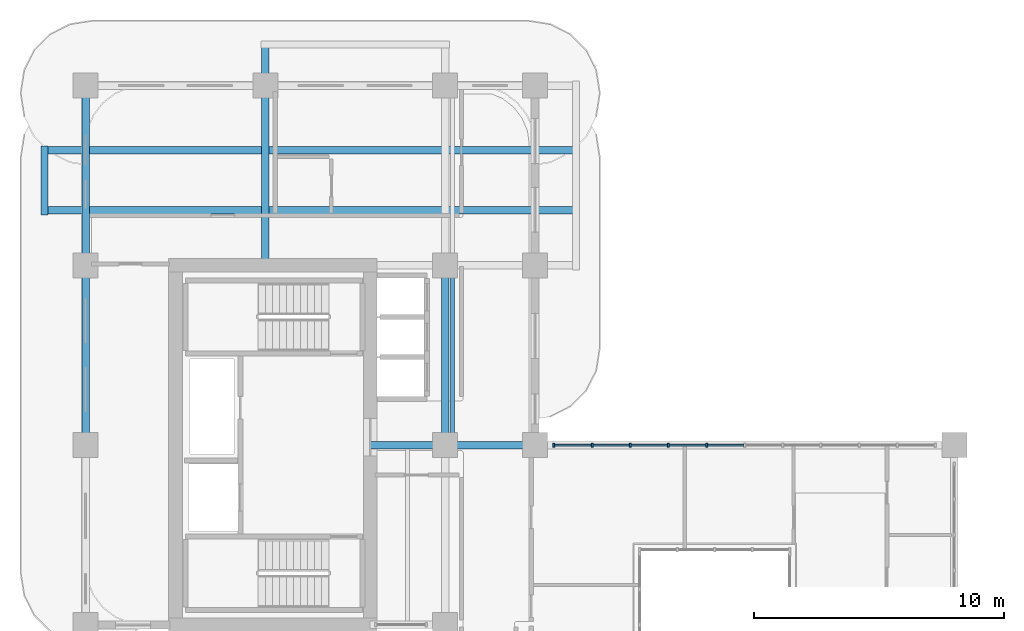
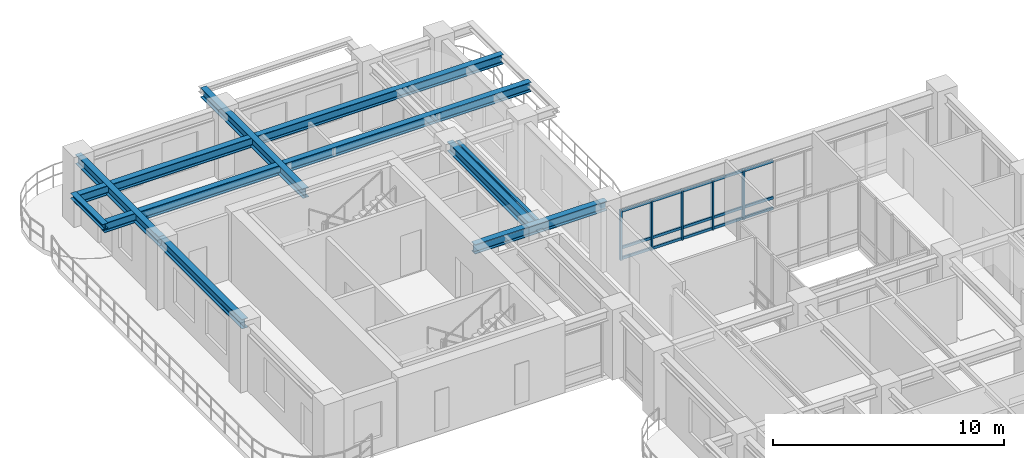
# One storey, part 5 of 20: 20 members, 9 beams, 1 element without a shape of its own.
"""IFC4 building model written with IfcOpenShell, lengths in metres."""

from ifc_helpers import new_model, si_unit, derived_unit, direction, frame, origin, origin_2d, place, context, subcontext, project, spatial, rectangle, i_section, extrude, source, transform, mapped, material, layer, layer_set, material_profile, profile_set, type_object, type_shapes, element, aggregate, save


model = new_model("IFC4")

# Units and contexts
model_context = context("Model", 3, precision=1e-05, world=origin(), true_north=direction((0.0, 1.0)))
body_context = subcontext(model_context, "Body", "Model", "MODEL_VIEW")
ifc_project = project(units=[si_unit("LENGTHUNIT", "METRE"), si_unit("AREAUNIT", "SQUARE_METRE"), si_unit("VOLUMEUNIT", "CUBIC_METRE"), si_unit("PLANEANGLEUNIT", "RADIAN"), si_unit("MASSUNIT", "GRAM", prefix="KILO"), si_unit("THERMODYNAMICTEMPERATUREUNIT", "KELVIN"), si_unit("POWERUNIT", "WATT"), derived_unit("THERMALTRANSMITTANCEUNIT", [(si_unit("POWERUNIT", "WATT"), 1), (si_unit("AREAUNIT", "SQUARE_METRE"), -1), (si_unit("THERMODYNAMICTEMPERATUREUNIT", "KELVIN"), -1)])], contexts=[model_context])

# Site, building, storey
site_placement = place(None, origin())
site = spatial("IfcSite", under=ifc_project, at=site_placement, CompositionType="ELEMENT")
building_placement = place(site_placement, origin())
building = spatial("IfcBuilding", under=site, at=building_placement, Name="Zahravan Archway Hotel and Residences", CompositionType="ELEMENT")
storey_placement = place(building_placement, frame((0.0, 0.0, 137.699951171875)))
storey = spatial("IfcBuildingStorey", under=building, at=storey_placement, Name="L34", CompositionType="ELEMENT", Elevation=137.699951171875)

# Beams
ifc_material_1 = material(Name="Structural Steel S355JR", Category="steel")
ifc_material_profile_1 = material_profile(ifc_material_1, i_section(OverallWidth=0.280029296875, OverallDepth=0.280029296875, WebThickness=0.010498046875, FlangeThickness=0.01806640625, FilletRadius=0.02392578125, at=origin_2d()), Name="HEB 280", Category="steel")
ifc_profile_set_1 = profile_set([ifc_material_profile_1], Name="Structural Steel S355JR")
beam_type_1 = type_object("IfcBeamType", Name="BM-SPN-HEB280", PredefinedType="SPANDREL", material=ifc_profile_set_1)
shared_shape_1 = source(origin(), body_context, "Body", "SweptSolid", [
    extrude(i_section(OverallWidth=0.280029296875, OverallDepth=0.280029296875, WebThickness=0.010498046875, FlangeThickness=0.01806640625, FilletRadius=0.02392578125, at=origin_2d()), origin(), (0.0, 0.0, 1.0), 2.759765625),
])
beam_1_placement = place(storey_placement, frame((-1.64990234375, 41.6201171875, 3.31005859375), z_axis=(0.0, 1.0, 0.0), x_axis=(-1.0, 0.0, 0.0)))
element("IfcBeam", 1, at=beam_1_placement, inside=storey, type_object=beam_type_1, Name="L35 WB Balcony Edge Spandrel", PredefinedType="SPANDREL", context=body_context, shape_type="MappedRepresentation", body=[
    mapped(shared_shape_1, transform((0.0, 0.0, 0.0), scale=1.0)),
])
ifc_material_profile_2 = material_profile(ifc_material_1, i_section(OverallWidth=0.300048828125, OverallDepth=0.5, WebThickness=0.014404296875, FlangeThickness=0.028076171875, FilletRadius=0.027099609375, at=origin_2d()), Name="HEB 500", Category="steel")
ifc_profile_set_2 = profile_set([ifc_material_profile_2], Name="Structural Steel S355JR")
beam_type_2 = type_object("IfcBeamType", Name="BM-PRI-HEB500", PredefinedType="BEAM", material=ifc_profile_set_2)
shared_shape_2 = source(origin(), body_context, "Body", "SweptSolid", [
    extrude(i_section(OverallWidth=0.300048828125, OverallDepth=0.5, WebThickness=0.014404296875, FlangeThickness=0.028076171875, FilletRadius=0.027099609375, at=origin_2d()), origin(), (0.0, 0.0, 1.0), 7.2001953125),
])
type_shapes(beam_type_2, [shared_shape_2])
for number, where, z_axis, x_axis, name in (
    (2, (0.0, 32.39990234375, 3.199951171875), (0.0, 1.0, 0.0), (-1.0, 0.0, 0.0), "L34 Primary Girder NS-25"),
    (3, (14.39990234375, 32.39990234375, 3.199951171875), (0.0, 1.0, 0.0), (-1.0, 0.0, 0.0), "L34 Primary Girder NS-33"),
):
    element("IfcBeam", number, at=place(storey_placement, frame(where, z_axis=z_axis, x_axis=x_axis)), inside=storey, type_object=beam_type_2, Name=name, PredefinedType="BEAM", context=body_context, shape_type="MappedRepresentation", body=[
        mapped(shared_shape_2, transform((0.0, 0.0, 0.0), scale=1.0)),
    ])
shared_shape_3 = source(origin(), body_context, "Body", "SweptSolid", [
    extrude(i_section(OverallWidth=0.300048828125, OverallDepth=0.5, WebThickness=0.014404296875, FlangeThickness=0.028076171875, FilletRadius=0.027099609375, at=origin_2d()), origin(), (0.0, 0.0, 1.0), 7.199951171875),
])
beam_2_placement = place(storey_placement, frame((0.0, 39.60009765625, 3.199951171875), z_axis=(0.0, 1.0, 0.0), x_axis=(-1.0, 0.0, 0.0)))
element("IfcBeam", 4, at=beam_2_placement, inside=storey, type_object=beam_type_2, Name="L34 Primary Girder NS-26", PredefinedType="BEAM", context=body_context, shape_type="MappedRepresentation", body=[
    mapped(shared_shape_3, transform((0.0, 0.0, 0.0), scale=1.0)),
])
shared_shape_4 = source(origin(), body_context, "Body", "SweptSolid", [
    extrude(i_section(OverallWidth=0.300048828125, OverallDepth=0.5, WebThickness=0.014404296875, FlangeThickness=0.028076171875, FilletRadius=0.027099609375, at=origin_2d()), origin(), (0.0, 0.0, 1.0), 6.60009765625),
])
beam_3_placement = place(storey_placement, frame((11.39990234375, 32.39990234375, 3.199951171875), z_axis=(1.0, 0.0, 0.0), x_axis=(0.0, 1.0, 0.0)))
element("IfcBeam", 5, at=beam_3_placement, inside=storey, type_object=beam_type_2, Name="L34 Primary Girder EW-17", PredefinedType="BEAM", context=body_context, shape_type="MappedRepresentation", body=[
    mapped(shared_shape_4, transform((0.0, 0.0, 0.0), scale=1.0)),
])
ifc_material_profile_3 = material_profile(ifc_material_1, i_section(OverallWidth=0.159912109375, OverallDepth=0.330078125, WebThickness=0.007568359375, FlangeThickness=0.011474609375, FilletRadius=0.01806640625, at=origin_2d()), Name="IPE 330", Category="steel")
ifc_profile_set_3 = profile_set([ifc_material_profile_3], Name="Structural Steel S355JR")
beam_type_3 = type_object("IfcBeamType", Name="BM-JST-IPE330", PredefinedType="JOIST", material=ifc_profile_set_3)
shared_shape_5 = source(origin(), body_context, "Body", "SweptSolid", [
    extrude(i_section(OverallWidth=0.159912109375, OverallDepth=0.330078125, WebThickness=0.007568359375, FlangeThickness=0.011474609375, FilletRadius=0.01806640625, at=origin_2d()), origin(), (0.0, 0.0, 1.0), 6.90380859375),
])
beam_4_placement = place(storey_placement, frame((14.699951171875, 32.548095703125, 3.28515625), z_axis=(0.0, 1.0, 0.0), x_axis=(-1.0, 0.0, 0.0)))
element("IfcBeam", 6, at=beam_4_placement, inside=storey, type_object=beam_type_3, Name="L34 Composite Floor Joist 11", PredefinedType="JOIST", context=body_context, shape_type="MappedRepresentation", body=[
    mapped(shared_shape_5, transform((0.0, 0.0, 0.0), scale=1.0)),
])
shared_shape_6 = source(origin(), body_context, "Body", "SweptSolid", [
    extrude(i_section(OverallWidth=0.300048828125, OverallDepth=0.5, WebThickness=0.014404296875, FlangeThickness=0.028076171875, FilletRadius=0.027099609375, at=origin_2d()), origin(), (0.0, 0.0, 1.0), 21.2998046875),
])
for number, where, z_axis, x_axis, name in (
    (7, (-1.64990234375, 41.800048828125, 3.199951171875), (1.0, 0.0, 0.0), (0.0, 1.0, 0.0), "L34 Primary Girder EW-22"),
    (8, (-1.64990234375, 44.199951171875, 3.199951171875), (1.0, 0.0, 0.0), (0.0, 1.0, 0.0), "L34 Primary Girder EW-23"),
):
    element("IfcBeam", number, at=place(storey_placement, frame(where, z_axis=z_axis, x_axis=x_axis)), inside=storey, type_object=beam_type_2, Name=name, PredefinedType="BEAM", context=body_context, shape_type="MappedRepresentation", body=[
        mapped(shared_shape_6, transform((0.0, 0.0, 0.0), scale=1.0)),
    ])
shared_shape_7 = source(origin(), body_context, "Body", "SweptSolid", [
    extrude(i_section(OverallWidth=0.300048828125, OverallDepth=0.5, WebThickness=0.014404296875, FlangeThickness=0.028076171875, FilletRadius=0.027099609375, at=origin_2d()), origin(), (0.0, 0.0, 1.0), 8.849853515625),
])
beam_5_placement = place(storey_placement, frame((7.199951171875, 39.60009765625, 3.199951171875), z_axis=(0.0, 1.0, 0.0), x_axis=(-1.0, 0.0, 0.0)))
element("IfcBeam", 9, at=beam_5_placement, inside=storey, type_object=beam_type_2, Name="L34 Primary Girder NS-27", PredefinedType="BEAM", context=body_context, shape_type="MappedRepresentation", body=[
    mapped(shared_shape_7, transform((0.0, 0.0, 0.0), scale=1.0)),
])

# Curtain wall, members
ifc_material_2 = material(Name="Bronze-Anodized Unitised Aluminium & Low-E Glass", Category="aluminium")
ifc_layer = layer(ifc_material_2, 0.179931640625, Name="Bronze-Anodized Unitised Aluminium & Low-E Glass", Category="aluminium")
ifc_layer_set = layer_set([ifc_layer], Name="Bronze-Anodized Unitised Aluminium & Low-E Glass")
curtain_wall_type = type_object("IfcCurtainWallType", Name="CW-ATR-GLAZ", PredefinedType="NOTDEFINED", material=ifc_layer_set)
curtain_wall_placement = place(storey_placement, origin())
curtain_wall = element("IfcCurtainWall", 10, at=curtain_wall_placement, inside=storey, type_object=curtain_wall_type, Name="L34 Curtain Wall CW-L34-HNG-N-1", PredefinedType="NOTDEFINED")
ifc_material_3 = material(Name="Bronze-Anodized Extruded Aluminium", Category="aluminium")
ifc_material_profile_4 = material_profile(ifc_material_3, rectangle(XDim=0.080078125, YDim=0.159912109375, at=origin_2d()), Name="MUL 80x160", Category="aluminium")
ifc_profile_set_4 = profile_set([ifc_material_profile_4], Name="Bronze-Anodized Extruded Aluminium")
member_type_1 = type_object("IfcMemberType", Name="CWM-MUL-160", PredefinedType="MULLION", material=ifc_profile_set_4)
shared_shape_8 = source(origin(), body_context, "Body", "SweptSolid", [
    extrude(rectangle(XDim=0.080078125, YDim=0.159912109375, at=origin_2d()), origin(), (0.0, 0.0, 1.0), 2.635009765625),
])
member_1_placement = place(storey_placement, frame((18.760009765625, 32.39990234375, 0.0), z_axis=(0.0, 0.0, 1.0), x_axis=(1.0, 0.0, 0.0)))
member_1 = element("IfcMember", 11, at=member_1_placement, type_object=member_type_1, Name="CW-L34-HNG-N-1 Mullion 0", PredefinedType="MULLION", context=body_context, shape_type="MappedRepresentation", body=[
    mapped(shared_shape_8, transform((0.0, 0.0, 0.0), scale=1.0)),
])
member_2_placement = place(storey_placement, frame((20.2880859375, 32.39990234375, 0.0), z_axis=(0.0, 0.0, 1.0), x_axis=(1.0, 0.0, 0.0)))
member_2 = element("IfcMember", 12, at=member_2_placement, type_object=member_type_1, Name="CW-L34-HNG-N-1 Mullion 1", PredefinedType="MULLION", context=body_context, shape_type="MappedRepresentation", body=[
    mapped(shared_shape_8, transform((0.0, 0.0, 0.0), scale=1.0)),
])
member_3_placement = place(storey_placement, frame((21.81591796875, 32.39990234375, 0.0), z_axis=(0.0, 0.0, 1.0), x_axis=(1.0, 0.0, 0.0)))
member_3 = element("IfcMember", 13, at=member_3_placement, type_object=member_type_1, Name="CW-L34-HNG-N-1 Mullion 2", PredefinedType="MULLION", context=body_context, shape_type="MappedRepresentation", body=[
    mapped(shared_shape_8, transform((0.0, 0.0, 0.0), scale=1.0)),
])
member_4_placement = place(storey_placement, frame((23.343994140625, 32.39990234375, 0.0), z_axis=(0.0, 0.0, 1.0), x_axis=(1.0, 0.0, 0.0)))
member_4 = element("IfcMember", 14, at=member_4_placement, type_object=member_type_1, Name="CW-L34-HNG-N-1 Mullion 3", PredefinedType="MULLION", context=body_context, shape_type="MappedRepresentation", body=[
    mapped(shared_shape_8, transform((0.0, 0.0, 0.0), scale=1.0)),
])
member_5_placement = place(storey_placement, frame((24.8720703125, 32.39990234375, 0.0), z_axis=(0.0, 0.0, 1.0), x_axis=(1.0, 0.0, 0.0)))
member_5 = element("IfcMember", 15, at=member_5_placement, type_object=member_type_1, Name="CW-L34-HNG-N-1 Mullion 4", PredefinedType="MULLION", context=body_context, shape_type="MappedRepresentation", body=[
    mapped(shared_shape_8, transform((0.0, 0.0, 0.0), scale=1.0)),
])
ifc_material_profile_5 = material_profile(ifc_material_3, rectangle(XDim=0.080078125, YDim=0.139892578125, at=origin_2d()), Name="TRN 80x140", Category="aluminium")
ifc_profile_set_5 = profile_set([ifc_material_profile_5], Name="Bronze-Anodized Extruded Aluminium")
member_type_2 = type_object("IfcMemberType", Name="CWM-TRN-140", PredefinedType="USERDEFINED", material=ifc_profile_set_5)
shared_shape_9 = source(origin(), body_context, "Body", "SweptSolid", [
    extrude(rectangle(XDim=0.080078125, YDim=0.139892578125, at=origin_2d()), origin(), (0.0, 0.0, 1.0), 1.447998046875),
])
member_6_placement = place(storey_placement, frame((18.800048828125, 32.39990234375, 0.070068359375), z_axis=(1.0, 0.0, 0.0), x_axis=(0.0, 1.0, 0.0)))
member_6 = element("IfcMember", 16, at=member_6_placement, type_object=member_type_2, Name="CW-L34-HNG-N-1 Transom 0-1", ObjectType="TRANSOM", PredefinedType="USERDEFINED", context=body_context, shape_type="MappedRepresentation", body=[
    mapped(shared_shape_9, transform((0.0, 0.0, 0.0), scale=1.0)),
])
member_7_placement = place(storey_placement, frame((18.800048828125, 32.39990234375, 0.632568359375), z_axis=(1.0, 0.0, 0.0), x_axis=(0.0, 1.0, 0.0)))
member_7 = element("IfcMember", 17, at=member_7_placement, type_object=member_type_2, Name="CW-L34-HNG-N-1 Transom 0-2", ObjectType="TRANSOM", PredefinedType="USERDEFINED", context=body_context, shape_type="MappedRepresentation", body=[
    mapped(shared_shape_9, transform((0.0, 0.0, 0.0), scale=1.0)),
])
member_8_placement = place(storey_placement, frame((18.800048828125, 32.39990234375, 2.56494140625), z_axis=(1.0, 0.0, 0.0), x_axis=(0.0, 1.0, 0.0)))
member_8 = element("IfcMember", 18, at=member_8_placement, type_object=member_type_2, Name="CW-L34-HNG-N-1 Transom 0-3", ObjectType="TRANSOM", PredefinedType="USERDEFINED", context=body_context, shape_type="MappedRepresentation", body=[
    mapped(shared_shape_9, transform((0.0, 0.0, 0.0), scale=1.0)),
])
member_9_placement = place(storey_placement, frame((20.327880859375, 32.39990234375, 0.070068359375), z_axis=(1.0, 0.0, 0.0), x_axis=(0.0, 1.0, 0.0)))
member_9 = element("IfcMember", 19, at=member_9_placement, type_object=member_type_2, Name="CW-L34-HNG-N-1 Transom 1-1", ObjectType="TRANSOM", PredefinedType="USERDEFINED", context=body_context, shape_type="MappedRepresentation", body=[
    mapped(shared_shape_9, transform((0.0, 0.0, 0.0), scale=1.0)),
])
member_10_placement = place(storey_placement, frame((20.327880859375, 32.39990234375, 0.632568359375), z_axis=(1.0, 0.0, 0.0), x_axis=(0.0, 1.0, 0.0)))
member_10 = element("IfcMember", 20, at=member_10_placement, type_object=member_type_2, Name="CW-L34-HNG-N-1 Transom 1-2", ObjectType="TRANSOM", PredefinedType="USERDEFINED", context=body_context, shape_type="MappedRepresentation", body=[
    mapped(shared_shape_9, transform((0.0, 0.0, 0.0), scale=1.0)),
])
member_11_placement = place(storey_placement, frame((20.327880859375, 32.39990234375, 2.56494140625), z_axis=(1.0, 0.0, 0.0), x_axis=(0.0, 1.0, 0.0)))
member_11 = element("IfcMember", 21, at=member_11_placement, type_object=member_type_2, Name="CW-L34-HNG-N-1 Transom 1-3", ObjectType="TRANSOM", PredefinedType="USERDEFINED", context=body_context, shape_type="MappedRepresentation", body=[
    mapped(shared_shape_9, transform((0.0, 0.0, 0.0), scale=1.0)),
])
member_12_placement = place(storey_placement, frame((21.85595703125, 32.39990234375, 0.070068359375), z_axis=(1.0, 0.0, 0.0), x_axis=(0.0, 1.0, 0.0)))
member_12 = element("IfcMember", 22, at=member_12_placement, type_object=member_type_2, Name="CW-L34-HNG-N-1 Transom 2-1", ObjectType="TRANSOM", PredefinedType="USERDEFINED", context=body_context, shape_type="MappedRepresentation", body=[
    mapped(shared_shape_9, transform((0.0, 0.0, 0.0), scale=1.0)),
])
member_13_placement = place(storey_placement, frame((21.85595703125, 32.39990234375, 0.632568359375), z_axis=(1.0, 0.0, 0.0), x_axis=(0.0, 1.0, 0.0)))
member_13 = element("IfcMember", 23, at=member_13_placement, type_object=member_type_2, Name="CW-L34-HNG-N-1 Transom 2-2", ObjectType="TRANSOM", PredefinedType="USERDEFINED", context=body_context, shape_type="MappedRepresentation", body=[
    mapped(shared_shape_9, transform((0.0, 0.0, 0.0), scale=1.0)),
])
member_14_placement = place(storey_placement, frame((21.85595703125, 32.39990234375, 2.56494140625), z_axis=(1.0, 0.0, 0.0), x_axis=(0.0, 1.0, 0.0)))
member_14 = element("IfcMember", 24, at=member_14_placement, type_object=member_type_2, Name="CW-L34-HNG-N-1 Transom 2-3", ObjectType="TRANSOM", PredefinedType="USERDEFINED", context=body_context, shape_type="MappedRepresentation", body=[
    mapped(shared_shape_9, transform((0.0, 0.0, 0.0), scale=1.0)),
])
member_15_placement = place(storey_placement, frame((23.384033203125, 32.39990234375, 0.070068359375), z_axis=(1.0, 0.0, 0.0), x_axis=(0.0, 1.0, 0.0)))
member_15 = element("IfcMember", 25, at=member_15_placement, type_object=member_type_2, Name="CW-L34-HNG-N-1 Transom 3-1", ObjectType="TRANSOM", PredefinedType="USERDEFINED", context=body_context, shape_type="MappedRepresentation", body=[
    mapped(shared_shape_9, transform((0.0, 0.0, 0.0), scale=1.0)),
])
member_16_placement = place(storey_placement, frame((23.384033203125, 32.39990234375, 0.632568359375), z_axis=(1.0, 0.0, 0.0), x_axis=(0.0, 1.0, 0.0)))
member_16 = element("IfcMember", 26, at=member_16_placement, type_object=member_type_2, Name="CW-L34-HNG-N-1 Transom 3-2", ObjectType="TRANSOM", PredefinedType="USERDEFINED", context=body_context, shape_type="MappedRepresentation", body=[
    mapped(shared_shape_9, transform((0.0, 0.0, 0.0), scale=1.0)),
])
member_17_placement = place(storey_placement, frame((23.384033203125, 32.39990234375, 2.56494140625), z_axis=(1.0, 0.0, 0.0), x_axis=(0.0, 1.0, 0.0)))
member_17 = element("IfcMember", 27, at=member_17_placement, type_object=member_type_2, Name="CW-L34-HNG-N-1 Transom 3-3", ObjectType="TRANSOM", PredefinedType="USERDEFINED", context=body_context, shape_type="MappedRepresentation", body=[
    mapped(shared_shape_9, transform((0.0, 0.0, 0.0), scale=1.0)),
])
member_18_placement = place(storey_placement, frame((24.912109375, 32.39990234375, 0.070068359375), z_axis=(1.0, 0.0, 0.0), x_axis=(0.0, 1.0, 0.0)))
member_18 = element("IfcMember", 28, at=member_18_placement, type_object=member_type_2, Name="CW-L34-HNG-N-1 Transom 4-1", ObjectType="TRANSOM", PredefinedType="USERDEFINED", context=body_context, shape_type="MappedRepresentation", body=[
    mapped(shared_shape_9, transform((0.0, 0.0, 0.0), scale=1.0)),
])
member_19_placement = place(storey_placement, frame((24.912109375, 32.39990234375, 0.632568359375), z_axis=(1.0, 0.0, 0.0), x_axis=(0.0, 1.0, 0.0)))
member_19 = element("IfcMember", 29, at=member_19_placement, type_object=member_type_2, Name="CW-L34-HNG-N-1 Transom 4-2", ObjectType="TRANSOM", PredefinedType="USERDEFINED", context=body_context, shape_type="MappedRepresentation", body=[
    mapped(shared_shape_9, transform((0.0, 0.0, 0.0), scale=1.0)),
])
member_20_placement = place(storey_placement, frame((24.912109375, 32.39990234375, 2.56494140625), z_axis=(1.0, 0.0, 0.0), x_axis=(0.0, 1.0, 0.0)))
member_20 = element("IfcMember", 30, at=member_20_placement, type_object=member_type_2, Name="CW-L34-HNG-N-1 Transom 4-3", ObjectType="TRANSOM", PredefinedType="USERDEFINED", context=body_context, shape_type="MappedRepresentation", body=[
    mapped(shared_shape_9, transform((0.0, 0.0, 0.0), scale=1.0)),
])
aggregate(curtain_wall, [member_1, member_2, member_3, member_4, member_5, member_6, member_7, member_8, member_9, member_10, member_11, member_12, member_13, member_14, member_15, member_16, member_17, member_18, member_19, member_20])

save(model, "model.ifc")
